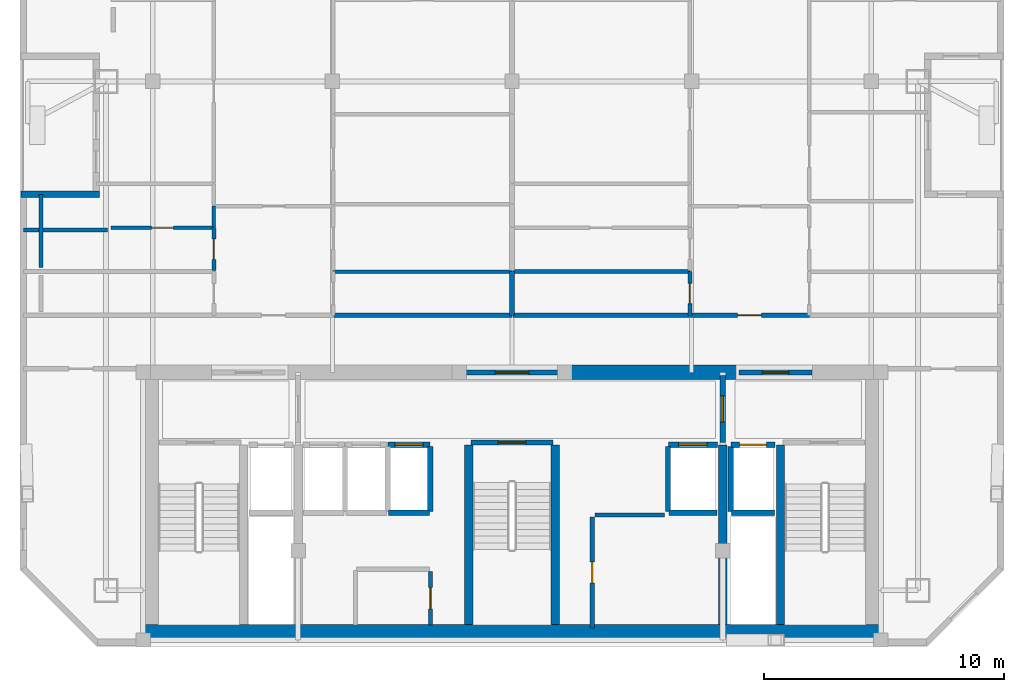
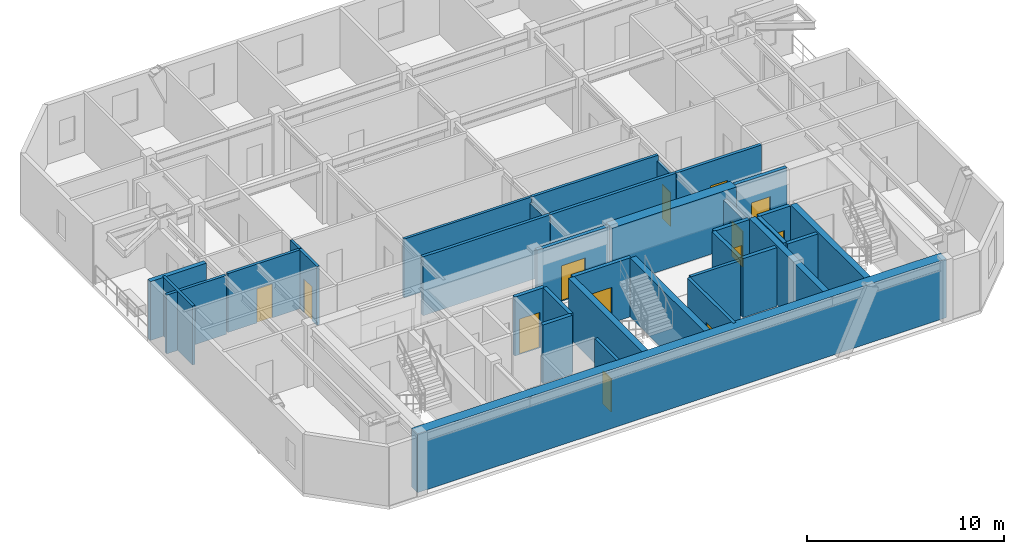
# One storey, part 3 of 7: 35 walls, 13 doors, 13 openings.
"""IFC4 building model written with IfcOpenShell, lengths in metres."""

from ifc_helpers import new_model, si_unit, direction, frame, frame_2d, origin, place, context, subcontext, project, spatial, rectangle, extrude, material, layer, layer_set, type_object, element, fill, save


model = new_model("IFC4")

# Units and contexts
model_context = context("Model", 3, precision=1e-05, world=origin(), true_north=direction((0.0, 1.0)))
body_context = subcontext(model_context, "Body", "Model", "MODEL_VIEW")
ifc_project = project(units=[si_unit("LENGTHUNIT", "METRE"), si_unit("AREAUNIT", "SQUARE_METRE"), si_unit("VOLUMEUNIT", "CUBIC_METRE"), si_unit("PLANEANGLEUNIT", "RADIAN"), si_unit("MASSUNIT", "GRAM", prefix="KILO")], contexts=[model_context])

# Site, building, storey
site_placement = place(None, origin())
site = spatial("IfcSite", under=ifc_project, at=site_placement, CompositionType="ELEMENT")
building_placement = place(site_placement, origin())
building = spatial("IfcBuilding", under=site, at=building_placement, Name="Ventersveld Concourse Tower", CompositionType="ELEMENT")
storey_placement = place(building_placement, frame((0.0, 0.0, 272.14990234375)))
storey = spatial("IfcBuildingStorey", under=building, at=storey_placement, Name="L67", CompositionType="ELEMENT", Elevation=272.14990234375)

# Walls
ifc_material_1 = material(Name="Concrete C50/60", Category="concrete")
ifc_layer_1 = layer(ifc_material_1, 0.35009765625)
ifc_layer_set_1 = layer_set([ifc_layer_1], Name="Concrete C50/60")
wall_type_1 = type_object("IfcWallType", Name="WL-CORE-350U", PredefinedType="SHEAR", material=ifc_layer_set_1)
for number, where, z_axis, x_axis, name in (
    (1, (26.93994140625, 0.919921875, 0.0), (0.0, 0.0, 1.0), (0.0, 1.0, 0.0), "L67 Core Internal Shear Web W-ST3-W"),
    (2, (30.56005859375, 0.919921875, 0.0), (0.0, 0.0, 1.0), (0.0, 1.0, 0.0), "L67 Core Internal Shear Web W-ST3-E"),
    (3, (37.550048828125, 0.919921875, 0.0), (0.0, 0.0, 1.0), (0.0, 1.0, 0.0), "L67 Core Internal Shear Web W-SVL-W"),
    (4, (39.9599609375, 0.919921875, 0.0), (0.0, 0.0, 1.0), (0.0, 1.0, 0.0), "L67 Core Internal Shear Web W-ST2-W"),
):
    element("IfcWall", number, at=place(storey_placement, frame(where, z_axis=z_axis, x_axis=x_axis)), inside=storey, type_object=wall_type_1, Name=name, PredefinedType="SHEAR", context=body_context, shape_type="SweptSolid", body=[
        extrude(rectangle(XDim=7.5, YDim=0.35009765625, at=frame_2d((3.75, 0.0))), origin(), (0.0, 0.0, 1.0), 3.650146484375),
    ])
ifc_layer_2 = layer(ifc_material_1, 0.60009765625)
ifc_layer_set_2 = layer_set([ifc_layer_2], Name="Concrete C50/60")
wall_type_2 = type_object("IfcWallType", Name="WL-CORE-600", PredefinedType="SHEAR", material=ifc_layer_set_2)
wall_1_placement = place(storey_placement, frame((13.25, 0.6201171875, 0.0), z_axis=(0.0, 0.0, 1.0), x_axis=(1.0, 0.0, 0.0)))
element("IfcWall", 5, at=wall_1_placement, inside=storey, type_object=wall_type_2, Name="L67 Rear Core South Shear Wall", PredefinedType="SHEAR", context=body_context, shape_type="SweptSolid", body=[
    extrude(rectangle(XDim=31.0, YDim=0.60009765625, at=frame_2d((15.5, 0.0))), origin(), (0.0, 0.0, 1.0), 3.650146484375),
])
wall_2_placement = place(storey_placement, frame((30.89990234375, 11.449951171875, 0.0), z_axis=(0.0, 0.0, 1.0), x_axis=(1.0, 0.0, 0.0)))
element("IfcWall", 6, at=wall_2_placement, inside=storey, type_object=wall_type_2, Name="L67 Rear Core North Shear Wall NMR", PredefinedType="SHEAR", context=body_context, shape_type="SweptSolid", body=[
    extrude(rectangle(XDim=7.300048828125, YDim=0.60009765625, at=frame_2d((3.64990234375, 0.0))), origin(), (0.0, 0.0, 1.0), 3.650146484375),
])

# Wall, opening, door
ifc_material_2 = material(Name="Fire-rated autoclaved aerated masonry blockwork", Category="masonry")
ifc_layer_3 = layer(ifc_material_2, 0.179931640625)
ifc_layer_set_3 = layer_set([ifc_layer_3], Name="Fire-rated autoclaved aerated masonry blockwork")
wall_type_3 = type_object("IfcWallType", Name="WL-CORR-180", PredefinedType="PARTITIONING", material=ifc_layer_set_3)
wall_3_placement = place(storey_placement, frame((25.35009765625, 0.89990234375, 0.0), z_axis=(0.0, 0.0, 1.0), x_axis=(0.0, 1.0, 0.0)))
wall_3 = element("IfcWall", 7, at=wall_3_placement, inside=storey, type_object=wall_type_3, Name="L67 Core Passage Wall SP-L67-RECB1", PredefinedType="PARTITIONING", context=body_context, shape_type="SweptSolid", body=[
    extrude(rectangle(XDim=2.239990234375, YDim=0.179931640625, at=frame_2d((1.1201171875, 0.0))), origin(), (0.0, 0.0, 1.0), 3.650146484375),
])
opening_1_placement = place(wall_3_placement, frame((0.679931640625, 0.0, 0.0)))
opening_1 = element("IfcOpeningElement", 8, at=opening_1_placement, cuts=wall_3, Name="Opening FD5", PredefinedType="OPENING", context=body_context, shape_type="SweptSolid", body=[
    extrude(rectangle(XDim=0.8798828125, YDim=2.050048828125, at=frame_2d((0.43994140625, 1.02490234375))), frame((0.0, 0.10009765625, 0.0), z_axis=(0.0, -1.0, 0.0), x_axis=(1.0, 0.0, 0.0)), (0.0, 0.0, 1.0), 0.199951171875),
])
ifc_material_3 = material(Name="Galvanised painted steel", Category="steel")
door_type_1 = type_object("IfcDoorType", Name="DR-RISER-088", OperationType="NOTDEFINED", PredefinedType="DOOR", material=ifc_material_3)
door_1_placement = place(opening_1_placement, origin())
door_1 = element("IfcDoor", 9, at=door_1_placement, inside=storey, type_object=door_type_1, Name="L67 Core Room Door L67 Reclaimed Core Residents Reading Room (CD-L67-3139)", OperationType="SINGLE_SWING_RIGHT", OverallHeight=2.050048828125, OverallWidth=0.8798828125, PredefinedType="DOOR", context=body_context, shape_type="SweptSolid", body=[
    extrude(rectangle(XDim=0.8798828125, YDim=2.050048828125, at=frame_2d((0.43994140625, 1.02490234375))), frame((0.0, 0.02490234375, 0.0), z_axis=(0.0, -1.0, 0.0), x_axis=(1.0, 0.0, 0.0)), (0.0, 0.0, 1.0), 0.050048828125),
])
fill(opening_1, door_1)

wall_4_placement = place(storey_placement, frame((32.10009765625, 0.780029296875, 0.0), z_axis=(0.0, 0.0, 1.0), x_axis=(0.0, 1.0, 0.0)))
wall_4 = element("IfcWall", 10, at=wall_4_placement, inside=storey, type_object=wall_type_3, Name="L67 Core Passage Wall SP-L67-RECB2", PredefinedType="PARTITIONING", context=body_context, shape_type="SweptSolid", body=[
    extrude(rectangle(XDim=4.639892578125, YDim=0.179931640625, at=frame_2d((2.31982421875, 0.0))), origin(), (0.0, 0.0, 1.0), 3.650146484375),
])
opening_2_placement = place(wall_4_placement, frame((1.8798828125, 0.0, 0.0)))
opening_2 = element("IfcOpeningElement", 11, at=opening_2_placement, cuts=wall_4, Name="Opening FD5", PredefinedType="OPENING", context=body_context, shape_type="SweptSolid", body=[
    extrude(rectangle(XDim=0.8798828125, YDim=2.050048828125, at=frame_2d((0.43994140625, 1.02490234375))), frame((0.0, 0.10009765625, 0.0), z_axis=(0.0, -1.0, 0.0), x_axis=(1.0, 0.0, 0.0)), (0.0, 0.0, 1.0), 0.199951171875),
])
door_2_placement = place(opening_2_placement, origin())
door_2 = element("IfcDoor", 12, at=door_2_placement, inside=storey, type_object=door_type_1, Name="L67 Core Room Door L67 Reclaimed Core Wellness Yoga Studio (CD-L67-3140)", OperationType="SINGLE_SWING_LEFT", OverallHeight=2.050048828125, OverallWidth=0.8798828125, PredefinedType="DOOR", context=body_context, shape_type="SweptSolid", body=[
    extrude(rectangle(XDim=0.8798828125, YDim=2.050048828125, at=frame_2d((0.43994140625, 1.02490234375))), frame((0.0, 0.02490234375, 0.0), z_axis=(0.0, -1.0, 0.0), x_axis=(1.0, 0.0, 0.0)), (0.0, 0.0, 1.0), 0.050048828125),
])
fill(opening_2, door_2)

# Walls
wall_5_placement = place(storey_placement, frame((32.219970703125, 5.5, 0.0), z_axis=(0.0, 0.0, 1.0), x_axis=(1.0, 0.0, 0.0)))
element("IfcWall", 13, at=wall_5_placement, inside=storey, type_object=wall_type_3, Name="L67 Core Top Wall SP-L67-RECB2", PredefinedType="PARTITIONING", context=body_context, shape_type="SweptSolid", body=[
    extrude(rectangle(XDim=2.900146484375, YDim=0.179931640625, at=frame_2d((1.4501953125, 0.0))), origin(), (0.0, 0.0, 1.0), 3.650146484375),
])
wall_6_placement = place(storey_placement, frame((21.319091796875, 13.830078125, 0.0), z_axis=(0.0, 0.0, 1.0), x_axis=(1.0, 0.0, 0.0)))
element("IfcWall", 14, at=wall_6_placement, inside=storey, type_object=wall_type_3, Name="L67 Interior Partition SP-L67-COR-SP-L67-67N1-KIT", PredefinedType="PARTITIONING", context=body_context, shape_type="SweptSolid", body=[
    extrude(rectangle(XDim=7.435791015625, YDim=0.179931640625, at=frame_2d((3.7177734375, 0.0))), origin(), (0.0, 0.0, 1.0), 3.650146484375),
])

# Wall, opening, door
wall_7_placement = place(storey_placement, frame((36.17041015625, 13.830078125, 0.0), z_axis=(0.0, 0.0, 1.0), x_axis=(1.0, 0.0, 0.0)))
wall_7 = element("IfcWall", 15, at=wall_7_placement, inside=storey, type_object=wall_type_3, Name="L67 Interior Partition SP-L67-COR-SP-L67-67N2-FOY", PredefinedType="PARTITIONING", context=body_context, shape_type="SweptSolid", body=[
    extrude(rectangle(XDim=4.989990234375, YDim=0.179931640625, at=frame_2d((2.4951171875, 0.0))), origin(), (0.0, 0.0, 1.0), 3.650146484375),
])
opening_3_placement = place(wall_7_placement, frame((1.9951171875, 0.0, 0.0)))
opening_3 = element("IfcOpeningElement", 16, at=opening_3_placement, cuts=wall_7, Name="Opening FD3", PredefinedType="OPENING", context=body_context, shape_type="SweptSolid", body=[
    extrude(rectangle(XDim=1.0, YDim=2.14990234375, at=frame_2d((0.5, 1.074951171875))), frame((0.0, 0.10009765625, 0.0), z_axis=(0.0, -1.0, 0.0), x_axis=(1.0, 0.0, 0.0)), (0.0, 0.0, 1.0), 0.199951171875),
])
ifc_material_4 = material(Name="Solid-core hardwood veneer timber", Category="wood")
door_type_2 = type_object("IfcDoorType", Name="DR-FLAT-100", OperationType="NOTDEFINED", PredefinedType="DOOR", material=ifc_material_4)
door_3_placement = place(opening_3_placement, origin())
door_3 = element("IfcDoor", 17, at=door_3_placement, inside=storey, type_object=door_type_2, Name="L67 Interior Door SP-L67-COR to SP-L67-67N2-FOY (FD-L67-3144)", OperationType="SINGLE_SWING_RIGHT", OverallHeight=2.14990234375, OverallWidth=1.0, PredefinedType="DOOR", context=body_context, shape_type="SweptSolid", body=[
    extrude(rectangle(XDim=1.0, YDim=2.14990234375, at=frame_2d((0.5, 1.074951171875))), frame((0.0, 0.02490234375, 0.0), z_axis=(0.0, -1.0, 0.0), x_axis=(1.0, 0.0, 0.0)), (0.0, 0.0, 1.0), 0.050048828125),
])
fill(opening_3, door_3)

# Walls
wall_8_placement = place(storey_placement, frame((28.784912109375, 13.830078125, 0.0), z_axis=(0.0, 0.0, 1.0), x_axis=(1.0, 0.0, 0.0)))
element("IfcWall", 18, at=wall_8_placement, inside=storey, type_object=wall_type_3, Name="L67 Interior Partition SP-L67-COR-SP-L67-67N2-BATH", PredefinedType="PARTITIONING", context=body_context, shape_type="SweptSolid", body=[
    extrude(rectangle(XDim=7.35546875, YDim=0.179931640625, at=frame_2d((3.677734375, 0.0))), origin(), (0.0, 0.0, 1.0), 3.650146484375),
])
ifc_layer_4 = layer(ifc_material_2, 0.199951171875)
ifc_layer_set_4 = layer_set([ifc_layer_4], Name="Fire-rated autoclaved aerated masonry blockwork")
wall_type_4 = type_object("IfcWallType", Name="WL-DEMISE-200", PredefinedType="PARTITIONING", material=ifc_layer_set_4)
wall_9_placement = place(storey_placement, frame((28.75, 13.824951171875, 0.0), z_axis=(0.0, 0.0, 1.0), x_axis=(0.0, 1.0, 0.0)))
element("IfcWall", 19, at=wall_9_placement, inside=storey, type_object=wall_type_4, Name="L67 Interior Partition SP-L67-67N1-KIT-SP-L67-67N2-BATH", PredefinedType="PARTITIONING", context=body_context, shape_type="SweptSolid", body=[
    extrude(rectangle(XDim=1.840087890625, YDim=0.199951171875, at=frame_2d((0.919921875, 0.0))), origin(), (0.0, 0.0, 1.0), 3.295166015625),
])
ifc_layer_5 = layer(ifc_material_2, 0.219970703125)
ifc_layer_set_5 = layer_set([ifc_layer_5], Name="Fire-rated autoclaved aerated masonry blockwork")
wall_type_5 = type_object("IfcWallType", Name="WL-HOIST-220", PredefinedType="SOLIDWALL", material=ifc_layer_set_5)
wall_10_placement = place(storey_placement, frame((37.919921875, 5.590087890625, 0.0), z_axis=(0.0, 0.0, 1.0), x_axis=(1.0, 0.0, 0.0)))
element("IfcWall", 20, at=wall_10_placement, inside=storey, type_object=wall_type_5, Name="L67 Lift Hoistway Back Wall FFL-02", PredefinedType="SOLIDWALL", context=body_context, shape_type="SweptSolid", body=[
    extrude(rectangle(XDim=1.780029296875, YDim=0.219970703125, at=frame_2d((0.89013671875, 0.0))), origin(), (0.0, 0.0, 1.0), 3.650146484375),
])
wall_11_placement = place(storey_placement, frame((37.8798828125, 5.64990234375, 0.0), z_axis=(0.0, 0.0, 1.0), x_axis=(0.0, 1.0, 0.0)))
element("IfcWall", 21, at=wall_11_placement, inside=storey, type_object=wall_type_5, Name="L67 Lift Hoistway Side Wall FFL-02W", PredefinedType="SOLIDWALL", context=body_context, shape_type="SweptSolid", body=[
    extrude(rectangle(XDim=2.7001953125, YDim=0.219970703125, at=frame_2d((1.35009765625, 0.0))), origin(), (0.0, 0.0, 1.0), 3.650146484375),
])

# Wall, opening, door
wall_12_placement = place(storey_placement, frame((37.89990234375, 8.429931640625, 0.0), z_axis=(0.0, 0.0, 1.0), x_axis=(1.0, 0.0, 0.0)))
wall_12 = element("IfcWall", 22, at=wall_12_placement, inside=storey, type_object=wall_type_5, Name="L67 Lift Hoistway Front Wall FFL-02", PredefinedType="SOLIDWALL", context=body_context, shape_type="SweptSolid", body=[
    extrude(rectangle(XDim=1.820068359375, YDim=0.219970703125, at=frame_2d((0.91015625, 0.0))), origin(), (0.0, 0.0, 1.0), 3.650146484375),
])
opening_4_placement = place(wall_12_placement, frame((0.35009765625, 0.0, 0.0)))
opening_4 = element("IfcOpeningElement", 23, at=opening_4_placement, cuts=wall_12, Name="Opening LD1", PredefinedType="OPENING", context=body_context, shape_type="SweptSolid", body=[
    extrude(rectangle(XDim=1.1201171875, YDim=2.25, at=frame_2d((0.56005859375, 1.125))), frame((0.0, 0.1201171875, 0.0), z_axis=(0.0, -1.0, 0.0), x_axis=(1.0, 0.0, 0.0)), (0.0, 0.0, 1.0), 0.239990234375),
])
ifc_material_5 = material(Name="Brushed stainless steel 316", Category="steel")
door_type_3 = type_object("IfcDoorType", Name="LD-FF-112", OperationType="SLIDING_TO_LEFT", PredefinedType="DOOR", material=ifc_material_5)
door_4_placement = place(opening_4_placement, origin())
door_4 = element("IfcDoor", 24, at=door_4_placement, inside=storey, type_object=door_type_3, Name="L67 Lift landing door FFL-02 (LD-L67-FFL-02)", OperationType="SLIDING_TO_LEFT", OverallHeight=2.25, OverallWidth=1.1201171875, PredefinedType="DOOR", context=body_context, shape_type="SweptSolid", body=[
    extrude(rectangle(XDim=1.1201171875, YDim=2.25, at=frame_2d((0.56005859375, 1.125))), frame((0.0, 0.02490234375, 0.0), z_axis=(0.0, -1.0, 0.0), x_axis=(1.0, 0.0, 0.0)), (0.0, 0.0, 1.0), 0.050048828125),
])
fill(opening_4, door_4)

# Walls
wall_13_placement = place(storey_placement, frame((35.300048828125, 5.590087890625, 0.0), z_axis=(0.0, 0.0, 1.0), x_axis=(1.0, 0.0, 0.0)))
element("IfcWall", 25, at=wall_13_placement, inside=storey, type_object=wall_type_5, Name="L67 Lift Hoistway Back Wall SVL-01", PredefinedType="SOLIDWALL", context=body_context, shape_type="SweptSolid", body=[
    extrude(rectangle(XDim=2.0, YDim=0.219970703125, at=frame_2d((1.0, 0.0))), origin(), (0.0, 0.0, 1.0), 3.650146484375),
])
wall_14_placement = place(storey_placement, frame((35.260009765625, 5.64990234375, 0.0), z_axis=(0.0, 0.0, 1.0), x_axis=(0.0, 1.0, 0.0)))
element("IfcWall", 26, at=wall_14_placement, inside=storey, type_object=wall_type_5, Name="L67 Lift Hoistway Side Wall SVL-01W", PredefinedType="SOLIDWALL", context=body_context, shape_type="SweptSolid", body=[
    extrude(rectangle(XDim=2.7001953125, YDim=0.219970703125, at=frame_2d((1.35009765625, 0.0))), origin(), (0.0, 0.0, 1.0), 3.650146484375),
])

# Wall, opening, door
wall_15_placement = place(storey_placement, frame((35.280029296875, 8.429931640625, 0.0), z_axis=(0.0, 0.0, 1.0), x_axis=(1.0, 0.0, 0.0)))
wall_15 = element("IfcWall", 27, at=wall_15_placement, inside=storey, type_object=wall_type_5, Name="L67 Lift Hoistway Front Wall SVL-01", PredefinedType="SOLIDWALL", context=body_context, shape_type="SweptSolid", body=[
    extrude(rectangle(XDim=2.0400390625, YDim=0.219970703125, at=frame_2d((1.02001953125, 0.0))), origin(), (0.0, 0.0, 1.0), 3.650146484375),
])
opening_5_placement = place(wall_15_placement, frame((0.429931640625, 0.0, 0.0)))
opening_5 = element("IfcOpeningElement", 28, at=opening_5_placement, cuts=wall_15, Name="Opening LD2", PredefinedType="OPENING", context=body_context, shape_type="SweptSolid", body=[
    extrude(rectangle(XDim=1.179931640625, YDim=2.199951171875, at=frame_2d((0.58984375, 1.10009765625))), frame((0.0, 0.1201171875, 0.0), z_axis=(0.0, -1.0, 0.0), x_axis=(1.0, 0.0, 0.0)), (0.0, 0.0, 1.0), 0.239990234375),
])
door_type_4 = type_object("IfcDoorType", Name="LD-PAX-118", OperationType="SLIDING_TO_LEFT", PredefinedType="DOOR", material=ifc_material_5)
door_5_placement = place(opening_5_placement, origin())
door_5 = element("IfcDoor", 29, at=door_5_placement, inside=storey, type_object=door_type_4, Name="L67 Lift landing door SVL-01 (LD-L67-SVL-01)", OperationType="SLIDING_TO_RIGHT", OverallHeight=2.199951171875, OverallWidth=1.179931640625, PredefinedType="DOOR", context=body_context, shape_type="SweptSolid", body=[
    extrude(rectangle(XDim=1.179931640625, YDim=2.199951171875, at=frame_2d((0.58984375, 1.10009765625))), frame((0.0, 0.02490234375, 0.0), z_axis=(0.0, -1.0, 0.0), x_axis=(1.0, 0.0, 0.0)), (0.0, 0.0, 1.0), 0.050048828125),
])
fill(opening_5, door_5)

# Walls
wall_16_placement = place(storey_placement, frame((23.60009765625, 5.590087890625, 0.0), z_axis=(0.0, 0.0, 1.0), x_axis=(1.0, 0.0, 0.0)))
element("IfcWall", 30, at=wall_16_placement, inside=storey, type_object=wall_type_5, Name="L67 Lift Hoistway Back Wall PH-03", PredefinedType="SOLIDWALL", context=body_context, shape_type="SweptSolid", body=[
    extrude(rectangle(XDim=1.699951171875, YDim=0.219970703125, at=frame_2d((0.85009765625, 0.0))), origin(), (0.0, 0.0, 1.0), 3.650146484375),
])
wall_17_placement = place(storey_placement, frame((25.340087890625, 5.64990234375, 0.0), z_axis=(0.0, 0.0, 1.0), x_axis=(0.0, 1.0, 0.0)))
element("IfcWall", 31, at=wall_17_placement, inside=storey, type_object=wall_type_5, Name="L67 Lift Hoistway Side Wall PH-03E", PredefinedType="SOLIDWALL", context=body_context, shape_type="SweptSolid", body=[
    extrude(rectangle(XDim=2.7001953125, YDim=0.219970703125, at=frame_2d((1.35009765625, 0.0))), origin(), (0.0, 0.0, 1.0), 3.650146484375),
])

# Wall, opening, door
wall_18_placement = place(storey_placement, frame((23.580078125, 8.429931640625, 0.0), z_axis=(0.0, 0.0, 1.0), x_axis=(1.0, 0.0, 0.0)))
wall_18 = element("IfcWall", 32, at=wall_18_placement, inside=storey, type_object=wall_type_5, Name="L67 Lift Hoistway Front Wall PH-03", PredefinedType="SOLIDWALL", context=body_context, shape_type="SweptSolid", body=[
    extrude(rectangle(XDim=1.739990234375, YDim=0.219970703125, at=frame_2d((0.8701171875, 0.0))), origin(), (0.0, 0.0, 1.0), 3.650146484375),
])
opening_6_placement = place(wall_18_placement, frame((0.280029296875, 0.0, 0.0)))
opening_6 = element("IfcOpeningElement", 33, at=opening_6_placement, cuts=wall_18, Name="Opening LD2", PredefinedType="OPENING", context=body_context, shape_type="SweptSolid", body=[
    extrude(rectangle(XDim=1.179931640625, YDim=2.199951171875, at=frame_2d((0.58984375, 1.10009765625))), frame((0.0, 0.1201171875, 0.0), z_axis=(0.0, -1.0, 0.0), x_axis=(1.0, 0.0, 0.0)), (0.0, 0.0, 1.0), 0.239990234375),
])
door_6_placement = place(opening_6_placement, origin())
door_6 = element("IfcDoor", 34, at=door_6_placement, inside=storey, type_object=door_type_4, Name="L67 Lift landing door PH-03 (LD-L67-PH-03)", OperationType="SLIDING_TO_LEFT", OverallHeight=2.199951171875, OverallWidth=1.179931640625, PredefinedType="DOOR", context=body_context, shape_type="SweptSolid", body=[
    extrude(rectangle(XDim=1.179931640625, YDim=2.199951171875, at=frame_2d((0.58984375, 1.10009765625))), frame((0.0, 0.02490234375, 0.0), z_axis=(0.0, -1.0, 0.0), x_axis=(1.0, 0.0, 0.0)), (0.0, 0.0, 1.0), 0.050048828125),
])
fill(opening_6, door_6)

wall_19_placement = place(storey_placement, frame((27.0400390625, 8.52001953125, 0.0), z_axis=(0.0, 0.0, 1.0), x_axis=(1.0, 0.0, 0.0)))
wall_19 = element("IfcWall", 35, at=wall_19_placement, inside=storey, type_object=wall_type_5, Name="L67 Escape Stair ST03 Fire Wall", PredefinedType="SOLIDWALL", context=body_context, shape_type="SweptSolid", body=[
    extrude(rectangle(XDim=3.419921875, YDim=0.219970703125, at=frame_2d((1.7099609375, 0.0))), origin(), (0.0, 0.0, 1.0), 3.650146484375),
])
opening_7_placement = place(wall_19_placement, frame((1.135009765625, 0.0, 0.0)))
opening_7 = element("IfcOpeningElement", 36, at=opening_7_placement, cuts=wall_19, Name="Opening FD1", PredefinedType="OPENING", context=body_context, shape_type="SweptSolid", body=[
    extrude(rectangle(XDim=1.14990234375, YDim=2.199951171875, at=frame_2d((0.574951171875, 1.10009765625))), frame((0.0, 0.1201171875, 0.0), z_axis=(0.0, -1.0, 0.0), x_axis=(1.0, 0.0, 0.0)), (0.0, 0.0, 1.0), 0.239990234375),
])
door_type_5 = type_object("IfcDoorType", Name="DR-STAIR-115", OperationType="NOTDEFINED", PredefinedType="DOOR", material=ifc_material_3)
door_7_placement = place(opening_7_placement, origin())
door_7 = element("IfcDoor", 37, at=door_7_placement, inside=storey, type_object=door_type_5, Name="L67 Escape Stair Door ST03 (SD-L67-3133)", OperationType="SINGLE_SWING_LEFT", OverallHeight=2.199951171875, OverallWidth=1.14990234375, PredefinedType="DOOR", context=body_context, shape_type="SweptSolid", body=[
    extrude(rectangle(XDim=1.14990234375, YDim=2.199951171875, at=frame_2d((0.574951171875, 1.10009765625))), frame((0.0, 0.02490234375, 0.0), z_axis=(0.0, -1.0, 0.0), x_axis=(1.0, 0.0, 0.0)), (0.0, 0.0, 1.0), 0.050048828125),
])
fill(opening_7, door_7)

wall_20_placement = place(storey_placement, frame((37.550048828125, 8.52001953125, 0.0), z_axis=(0.0, 0.0, 1.0), x_axis=(0.0, 1.0, 0.0)))
wall_20 = element("IfcWall", 38, at=wall_20_placement, inside=storey, type_object=wall_type_5, Name="L67 Firefighting Lobby Smoke-Stop Wall FFLE-SEP", PredefinedType="SOLIDWALL", context=body_context, shape_type="SweptSolid", body=[
    extrude(rectangle(XDim=2.800048828125, YDim=0.219970703125, at=frame_2d((1.39990234375, 0.0))), origin(), (0.0, 0.0, 1.0), 3.105712890625),
])
opening_8_placement = place(wall_20_placement, frame((0.85009765625, 0.0, 0.0)))
opening_8 = element("IfcOpeningElement", 39, at=opening_8_placement, cuts=wall_20, Name="Opening FD2", PredefinedType="OPENING", context=body_context, shape_type="SweptSolid", body=[
    extrude(rectangle(XDim=1.10009765625, YDim=2.199951171875, at=frame_2d((0.550048828125, 1.10009765625))), frame((0.0, 0.1201171875, 0.0), z_axis=(0.0, -1.0, 0.0), x_axis=(1.0, 0.0, 0.0)), (0.0, 0.0, 1.0), 0.239990234375),
])
door_type_6 = type_object("IfcDoorType", Name="DR-FFL-110", OperationType="NOTDEFINED", PredefinedType="DOOR", material=ifc_material_3)
door_8_placement = place(opening_8_placement, origin())
door_8 = element("IfcDoor", 40, at=door_8_placement, inside=storey, type_object=door_type_6, Name="L67 Firefighting Lobby Door FFLE-SEP (FD-L67-3135)", OperationType="SINGLE_SWING_RIGHT", OverallHeight=2.199951171875, OverallWidth=1.10009765625, PredefinedType="DOOR", context=body_context, shape_type="SweptSolid", body=[
    extrude(rectangle(XDim=1.10009765625, YDim=2.199951171875, at=frame_2d((0.550048828125, 1.10009765625))), frame((0.0, 0.02490234375, 0.0), z_axis=(0.0, -1.0, 0.0), x_axis=(1.0, 0.0, 0.0)), (0.0, 0.0, 1.0), 0.050048828125),
])
fill(opening_8, door_8)

wall_21_placement = place(storey_placement, frame((26.6298828125, 11.449951171875, 0.0), z_axis=(0.0, 0.0, 1.0), x_axis=(1.0, 0.0, 0.0)))
wall_21 = element("IfcWall", 41, at=wall_21_placement, inside=storey, type_object=wall_type_5, Name="L67 Core North Fire Portal PLOB-OUT", PredefinedType="SOLIDWALL", context=body_context, shape_type="SweptSolid", body=[
    extrude(rectangle(XDim=4.240234375, YDim=0.219970703125, at=frame_2d((2.1201171875, 0.0))), origin(), (0.0, 0.0, 1.0), 3.650146484375),
])
opening_9_placement = place(wall_21_placement, frame((1.419921875, 0.0, 0.0)))
opening_9 = element("IfcOpeningElement", 42, at=opening_9_placement, cuts=wall_21, Name="Opening FD4", PredefinedType="OPENING", context=body_context, shape_type="SweptSolid", body=[
    extrude(rectangle(XDim=1.39990234375, YDim=2.199951171875, at=frame_2d((0.699951171875, 1.10009765625))), frame((0.0, 0.1201171875, 0.0), z_axis=(0.0, -1.0, 0.0), x_axis=(1.0, 0.0, 0.0)), (0.0, 0.0, 1.0), 0.239990234375),
])
door_type_7 = type_object("IfcDoorType", Name="DR-PLANT-140", OperationType="DOUBLE_DOOR_SINGLE_SWING", PredefinedType="DOOR", material=ifc_material_3)
door_9_placement = place(opening_9_placement, origin())
door_9 = element("IfcDoor", 43, at=door_9_placement, inside=storey, type_object=door_type_7, Name="L67 Core Lobby Fire Door PLOB-OUT (FD-L67-3137)", OperationType="DOUBLE_DOOR_SINGLE_SWING", OverallHeight=2.199951171875, OverallWidth=1.39990234375, PredefinedType="DOOR", context=body_context, shape_type="SweptSolid", body=[
    extrude(rectangle(XDim=1.39990234375, YDim=2.199951171875, at=frame_2d((0.699951171875, 1.10009765625))), frame((0.0, 0.02490234375, 0.0), z_axis=(0.0, -1.0, 0.0), x_axis=(1.0, 0.0, 0.0)), (0.0, 0.0, 1.0), 0.050048828125),
])
fill(opening_9, door_9)

wall_22_placement = place(storey_placement, frame((38.22998046875, 11.449951171875, 0.0), z_axis=(0.0, 0.0, 1.0), x_axis=(1.0, 0.0, 0.0)))
wall_22 = element("IfcWall", 44, at=wall_22_placement, inside=storey, type_object=wall_type_5, Name="L67 Core North Fire Portal FFLE-OUT", PredefinedType="SOLIDWALL", context=body_context, shape_type="SweptSolid", body=[
    extrude(rectangle(XDim=3.0400390625, YDim=0.219970703125, at=frame_2d((1.52001953125, 0.0))), origin(), (0.0, 0.0, 1.0), 3.650146484375),
])
opening_10_placement = place(wall_22_placement, frame((0.969970703125, 0.0, 0.0)))
opening_10 = element("IfcOpeningElement", 45, at=opening_10_placement, cuts=wall_22, Name="Opening FD2", PredefinedType="OPENING", context=body_context, shape_type="SweptSolid", body=[
    extrude(rectangle(XDim=1.10009765625, YDim=2.199951171875, at=frame_2d((0.550048828125, 1.10009765625))), frame((0.0, 0.1201171875, 0.0), z_axis=(0.0, -1.0, 0.0), x_axis=(1.0, 0.0, 0.0)), (0.0, 0.0, 1.0), 0.239990234375),
])
door_10_placement = place(opening_10_placement, origin())
door_10 = element("IfcDoor", 46, at=door_10_placement, inside=storey, type_object=door_type_6, Name="L67 Core Lobby Fire Door FFLE-OUT (FD-L67-3138)", OperationType="SINGLE_SWING_LEFT", OverallHeight=2.199951171875, OverallWidth=1.10009765625, PredefinedType="DOOR", context=body_context, shape_type="SweptSolid", body=[
    extrude(rectangle(XDim=1.10009765625, YDim=2.199951171875, at=frame_2d((0.550048828125, 1.10009765625))), frame((0.0, 0.02490234375, 0.0), z_axis=(0.0, -1.0, 0.0), x_axis=(1.0, 0.0, 0.0)), (0.0, 0.0, 1.0), 0.050048828125),
])
fill(opening_10, door_10)

# Walls
ifc_material_6 = material(Name="Autoclaved aerated masonry blockwork", Category="masonry")
ifc_layer_6 = layer(ifc_material_6, 0.14990234375)
ifc_layer_set_6 = layer_set([ifc_layer_6], Name="Autoclaved aerated masonry blockwork")
wall_type_6 = type_object("IfcWallType", Name="WL-INT-150", PredefinedType="PARTITIONING", material=ifc_layer_set_6)
wall_23_placement = place(storey_placement, frame((16.303955078125, 17.52490234375, 0.0), z_axis=(0.0, 0.0, 1.0), x_axis=(0.0, 1.0, 0.0)))
element("IfcWall", 47, at=wall_23_placement, inside=storey, type_object=wall_type_6, Name="L67 Interior Partition SP-L67-67N1-FOY-SP-L67-67N1-PANL0", PredefinedType="PARTITIONING", context=body_context, shape_type="SweptSolid", body=[
    extrude(rectangle(XDim=0.875, YDim=0.14990234375, at=frame_2d((0.4375, 0.0))), origin(), (0.0, 0.0, 1.0), 3.650146484375),
])
wall_24_placement = place(storey_placement, frame((21.279052734375, 15.659912109375, 0.0), z_axis=(0.0, 0.0, 1.0), x_axis=(1.0, 0.0, 0.0)))
element("IfcWall", 48, at=wall_24_placement, inside=storey, type_object=wall_type_6, Name="L67 Interior Partition SP-L67-67N1-KIT-SP-L67-67N1-MEDR1", PredefinedType="PARTITIONING", context=body_context, shape_type="SweptSolid", body=[
    extrude(rectangle(XDim=7.475830078125, YDim=0.14990234375, at=frame_2d((3.73779296875, 0.0))), origin(), (0.0, 0.0, 1.0), 3.650146484375),
])
ifc_material_7 = material(Name="Precast concrete C45/55", Category="concrete")
ifc_layer_7 = layer(ifc_material_7, 0.260009765625)
ifc_layer_set_7 = layer_set([ifc_layer_7], Name="Precast concrete C45/55")
wall_type_7 = type_object("IfcWallType", Name="WL-PREC-260", PredefinedType="SOLIDWALL", material=ifc_layer_set_7)
wall_25_placement = place(storey_placement, frame((11.52099609375, 18.891845703125, 0.0), z_axis=(0.0, 0.0, 1.0), x_axis=(-1.0, 0.0, 0.0)))
element("IfcWall", 49, at=wall_25_placement, inside=storey, type_object=wall_type_7, Name="L67 Highveld Precast Facade Wall E14", PredefinedType="SOLIDWALL", context=body_context, shape_type="SweptSolid", body=[
    extrude(rectangle(XDim=3.27001953125, YDim=0.260009765625, at=frame_2d((1.635009765625, 0.0))), origin(), (0.0, 0.0, 1.0), 3.650146484375),
])

# Wall, opening, door
ifc_layer_8 = layer(ifc_material_6, 0.1650390625)
ifc_layer_set_8 = layer_set([ifc_layer_8], Name="Autoclaved aerated masonry blockwork")
wall_type_8 = type_object("IfcWallType", Name="WL-WET-165", PredefinedType="PLUMBINGWALL", material=ifc_layer_set_8)
wall_26_placement = place(storey_placement, frame((16.303955078125, 15.695068359375, 0.0), z_axis=(0.0, 0.0, 1.0), x_axis=(0.0, 1.0, 0.0)))
wall_26 = element("IfcWall", 50, at=wall_26_placement, inside=storey, type_object=wall_type_8, Name="L67 Interior Partition SP-L67-67N1-FOY-SP-L67-67N1-PWDL2", PredefinedType="PLUMBINGWALL", context=body_context, shape_type="SweptSolid", body=[
    extrude(rectangle(XDim=1.800048828125, YDim=0.1650390625, at=frame_2d((0.89990234375, 0.0))), origin(), (0.0, 0.0, 1.0), 3.650146484375),
])
opening_11_placement = place(wall_26_placement, frame((0.47509765625, 0.0, 0.0)))
opening_11 = element("IfcOpeningElement", 51, at=opening_11_placement, cuts=wall_26, Name="Opening ID2", PredefinedType="OPENING", context=body_context, shape_type="SweptSolid", body=[
    extrude(rectangle(XDim=0.85009765625, YDim=2.10009765625, at=frame_2d((0.425048828125, 1.050048828125))), frame((0.0, 0.092529296875, 0.0), z_axis=(0.0, -1.0, 0.0), x_axis=(1.0, 0.0, 0.0)), (0.0, 0.0, 1.0), 0.18505859375),
])
door_type_8 = type_object("IfcDoorType", Name="DR-BATH-085", OperationType="NOTDEFINED", PredefinedType="DOOR", material=ifc_material_4)
door_11_placement = place(opening_11_placement, origin())
door_11 = element("IfcDoor", 52, at=door_11_placement, inside=storey, type_object=door_type_8, Name="L67 Interior Door SP-L67-67N1-FOY to SP-L67-67N1-PWDL2 (D-L67-3147)", OperationType="SINGLE_SWING_LEFT", OverallHeight=2.10009765625, OverallWidth=0.85009765625, PredefinedType="DOOR", context=body_context, shape_type="SweptSolid", body=[
    extrude(rectangle(XDim=0.85009765625, YDim=2.10009765625, at=frame_2d((0.425048828125, 1.050048828125))), frame((0.0, 0.02490234375, 0.0), z_axis=(0.0, -1.0, 0.0), x_axis=(1.0, 0.0, 0.0)), (0.0, 0.0, 1.0), 0.050048828125),
])
fill(opening_11, door_11)

wall_27_placement = place(storey_placement, frame((12.005859375, 17.489990234375, 0.0), z_axis=(0.0, 0.0, 1.0), x_axis=(1.0, 0.0, 0.0)))
wall_27 = element("IfcWall", 53, at=wall_27_placement, inside=storey, type_object=wall_type_8, Name="L67 Interior Partition SP-L67-67N1-PWDL2-SP-L67-67N1-PANL0", PredefinedType="PLUMBINGWALL", context=body_context, shape_type="SweptSolid", body=[
    extrude(rectangle(XDim=4.30322265625, YDim=0.1650390625, at=frame_2d((2.151611328125, 0.0))), origin(), (0.0, 0.0, 1.0), 3.650146484375),
])
opening_12_placement = place(wall_27_placement, frame((1.691650390625, 0.0, 0.0)))
opening_12 = element("IfcOpeningElement", 54, at=opening_12_placement, cuts=wall_27, Name="Opening ID1", PredefinedType="OPENING", context=body_context, shape_type="SweptSolid", body=[
    extrude(rectangle(XDim=0.919921875, YDim=2.10009765625, at=frame_2d((0.4599609375, 1.050048828125))), frame((0.0, 0.092529296875, 0.0), z_axis=(0.0, -1.0, 0.0), x_axis=(1.0, 0.0, 0.0)), (0.0, 0.0, 1.0), 0.18505859375),
])
door_type_9 = type_object("IfcDoorType", Name="DR-ROOM-092", OperationType="NOTDEFINED", PredefinedType="DOOR", material=ifc_material_4)
door_12_placement = place(opening_12_placement, origin())
door_12 = element("IfcDoor", 55, at=door_12_placement, inside=storey, type_object=door_type_9, Name="L67 Interior Door Flat 67N1 Beverage Tea Pantry (D-L67-3169)", OperationType="SINGLE_SWING_RIGHT", OverallHeight=2.10009765625, OverallWidth=0.919921875, PredefinedType="DOOR", context=body_context, shape_type="SweptSolid", body=[
    extrude(rectangle(XDim=0.919921875, YDim=2.10009765625, at=frame_2d((0.4599609375, 1.050048828125))), frame((0.0, 0.02490234375, 0.0), z_axis=(0.0, -1.0, 0.0), x_axis=(1.0, 0.0, 0.0)), (0.0, 0.0, 1.0), 0.050048828125),
])
fill(opening_12, door_12)

wall_28_placement = place(storey_placement, frame((36.17529296875, 13.824951171875, 0.0), z_axis=(0.0, 0.0, 1.0), x_axis=(0.0, 1.0, 0.0)))
wall_28 = element("IfcWall", 56, at=wall_28_placement, inside=storey, type_object=wall_type_8, Name="L67 Interior Partition SP-L67-67N2-FOY-SP-L67-67N2-BATH", PredefinedType="PLUMBINGWALL", context=body_context, shape_type="SweptSolid", body=[
    extrude(rectangle(XDim=1.840087890625, YDim=0.1650390625, at=frame_2d((0.919921875, 0.0))), origin(), (0.0, 0.0, 1.0), 3.295166015625),
])
opening_13_placement = place(wall_28_placement, frame((0.4951171875, 0.0, 0.0)))
opening_13 = element("IfcOpeningElement", 57, at=opening_13_placement, cuts=wall_28, Name="Opening ID2", PredefinedType="OPENING", context=body_context, shape_type="SweptSolid", body=[
    extrude(rectangle(XDim=0.85009765625, YDim=2.10009765625, at=frame_2d((0.425048828125, 1.050048828125))), frame((0.0, 0.092529296875, 0.0), z_axis=(0.0, -1.0, 0.0), x_axis=(1.0, 0.0, 0.0)), (0.0, 0.0, 1.0), 0.18505859375),
])
door_13_placement = place(opening_13_placement, origin())
door_13 = element("IfcDoor", 58, at=door_13_placement, inside=storey, type_object=door_type_8, Name="L67 Interior Door SP-L67-67N2-FOY to SP-L67-67N2-BATH (D-L67-3158)", OperationType="SINGLE_SWING_RIGHT", OverallHeight=2.10009765625, OverallWidth=0.85009765625, PredefinedType="DOOR", context=body_context, shape_type="SweptSolid", body=[
    extrude(rectangle(XDim=0.85009765625, YDim=2.10009765625, at=frame_2d((0.425048828125, 1.050048828125))), frame((0.0, 0.02490234375, 0.0), z_axis=(0.0, -1.0, 0.0), x_axis=(1.0, 0.0, 0.0)), (0.0, 0.0, 1.0), 0.050048828125),
])
fill(opening_13, door_13)

# Walls
wall_29_placement = place(storey_placement, frame((28.784912109375, 15.659912109375, 0.0), z_axis=(0.0, 0.0, 1.0), x_axis=(1.0, 0.0, 0.0)))
element("IfcWall", 59, at=wall_29_placement, inside=storey, type_object=wall_type_8, Name="L67 Interior Partition SP-L67-67N2-BATH-SP-L67-67N2-PWDL2", PredefinedType="PLUMBINGWALL", context=body_context, shape_type="SweptSolid", body=[
    extrude(rectangle(XDim=7.3955078125, YDim=0.1650390625, at=frame_2d((3.69775390625, 0.0))), origin(), (0.0, 0.0, 1.0), 3.650146484375),
])
wall_30_placement = place(storey_placement, frame((8.3603515625, 17.39990234375, 0.0), z_axis=(0.0, 0.0, 1.0), x_axis=(1.0, 0.0, 0.0)))
element("IfcWall", 60, at=wall_30_placement, inside=storey, type_object=wall_type_8, Name="L67 Room Enclosure Wall SP-L67-67N1-PWDL2", PredefinedType="PLUMBINGWALL", context=body_context, shape_type="SweptSolid", body=[
    extrude(rectangle(XDim=3.4970703125, YDim=0.1650390625, at=frame_2d((1.74853515625, 0.0))), origin(), (0.0, 0.0, 1.0), 3.650146484375),
])
wall_31_placement = place(storey_placement, frame((9.0908203125, 15.824951171875, 0.0), z_axis=(0.0, 0.0, 1.0), x_axis=(0.0, 1.0, 0.0)))
element("IfcWall", 61, at=wall_31_placement, inside=storey, type_object=wall_type_8, Name="L67 Room Enclosure Wall SP-L67-67N1-PWDL2", PredefinedType="PLUMBINGWALL", context=body_context, shape_type="SweptSolid", body=[
    extrude(rectangle(XDim=3.04736328125, YDim=0.1650390625, at=frame_2d((1.523681640625, 0.0))), origin(), (0.0, 0.0, 1.0), 3.650146484375),
])

save(model, "model.ifc")
